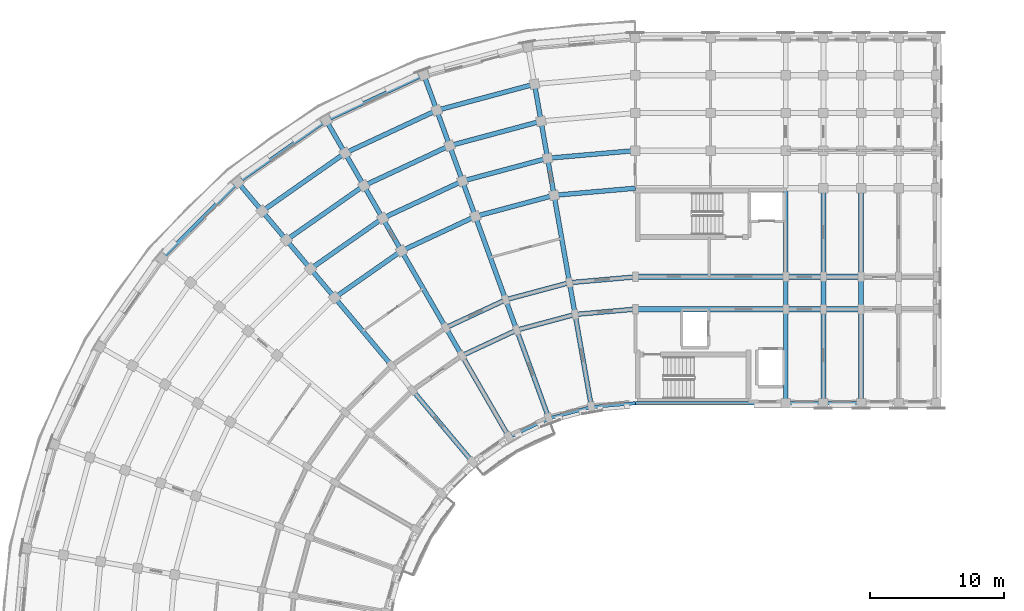
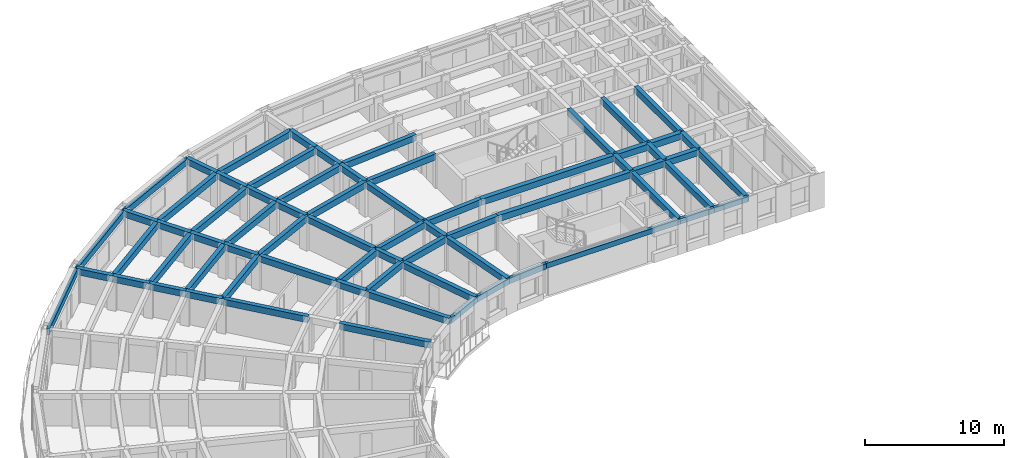
# One storey, part 9 of 57: 70 beams.
"""IFC4 building model written with IfcOpenShell, lengths in metres."""

from ifc_helpers import new_model, si_unit, direction, frame, origin, origin_2d, place, context, subcontext, project, spatial, rectangle, extrude, material, material_profile, profile_set, type_object, element, save


model = new_model("IFC4")

# Units and contexts
model_context = context("Model", 3, precision=1e-05, world=origin(), true_north=direction((0.0, 1.0)))
body_context = subcontext(model_context, "Body", "Model", "MODEL_VIEW")
ifc_project = project(units=[si_unit("LENGTHUNIT", "METRE"), si_unit("AREAUNIT", "SQUARE_METRE"), si_unit("VOLUMEUNIT", "CUBIC_METRE"), si_unit("PLANEANGLEUNIT", "RADIAN"), si_unit("MASSUNIT", "GRAM", prefix="KILO")], contexts=[model_context])

# Site, building, storey
site_placement = place(None, origin())
site = spatial("IfcSite", under=ifc_project, at=site_placement, CompositionType="ELEMENT")
building_placement = place(site_placement, origin())
building = spatial("IfcBuilding", under=site, at=building_placement, Name="Kiranvali Square Residences", CompositionType="ELEMENT")
storey_placement = place(building_placement, frame((0.0, 0.0, 24.449951171875)))
storey = spatial("IfcBuildingStorey", under=building, at=storey_placement, Name="L07", CompositionType="ELEMENT", Elevation=24.449951171875)

# Beams
ifc_material_1 = material(Name="Concrete M40 (40 MPa)", Category="concrete")
ifc_material_profile_1 = material_profile(ifc_material_1, rectangle(XDim=0.35009765625, YDim=0.550048828125, at=origin_2d()), Name="RC 350x550")
ifc_profile_set_1 = profile_set([ifc_material_profile_1], Name="Concrete M40 (40 MPa)")
beam_type_1 = type_object("IfcBeamType", Name="BM-M40-350x550", PredefinedType="BEAM", material=ifc_profile_set_1)
beam_1_placement = place(storey_placement, frame((48.199951171875, 113.60009765625, 2.655029296875), z_axis=(-0.996191949488, -0.087187153726, 0.0), x_axis=(0.087187153726, -0.996191949488, 0.0)))
element("IfcBeam", 1, at=beam_1_placement, inside=storey, type_object=beam_type_1, Name="L07 beam BM-A-L07-C00-R1", PredefinedType="BEAM", context=body_context, shape_type="SweptSolid", body=[
    extrude(rectangle(XDim=0.35009765625, YDim=0.550048828125, at=origin_2d()), origin(), (0.0, 0.0, 1.0), 4.4970703125),
])
beam_2_placement = place(storey_placement, frame((48.199951171875, 116.0, 2.655029296875), z_axis=(-0.996193663584, -0.087167566415, 0.0), x_axis=(0.087167566415, -0.996193663584, 0.0)))
element("IfcBeam", 2, at=beam_2_placement, inside=storey, type_object=beam_type_1, Name="L07 beam BM-A-L07-C00-R2", PredefinedType="BEAM", context=body_context, shape_type="SweptSolid", body=[
    extrude(rectangle(XDim=0.35009765625, YDim=0.550048828125, at=origin_2d()), origin(), (0.0, 0.0, 1.0), 4.91552734375),
])
beam_3_placement = place(storey_placement, frame((48.199951171875, 122.60009765625, 2.655029296875), z_axis=(-0.996193018494, -0.087174938512, 0.0), x_axis=(0.087174938512, -0.996193018494, 0.0)))
element("IfcBeam", 3, at=beam_3_placement, inside=storey, type_object=beam_type_1, Name="L07 beam BM-A-L07-C00-R3", PredefinedType="BEAM", context=body_context, shape_type="SweptSolid", body=[
    extrude(rectangle(XDim=0.35009765625, YDim=0.550048828125, at=origin_2d()), origin(), (0.0, 0.0, 1.0), 6.066162109375),
])
beam_4_placement = place(storey_placement, frame((48.199951171875, 125.39990234375, 2.655029296875), z_axis=(-0.996196991902, -0.0871295204, 0.0), x_axis=(0.0871295204, -0.996196991902, 0.0)))
element("IfcBeam", 4, at=beam_4_placement, inside=storey, type_object=beam_type_1, Name="L07 beam BM-A-L07-C00-R4", PredefinedType="BEAM", context=body_context, shape_type="SweptSolid", body=[
    extrude(rectangle(XDim=0.35009765625, YDim=0.550048828125, at=origin_2d()), origin(), (0.0, 0.0, 1.0), 6.553955078125),
])
beam_5_placement = place(storey_placement, frame((43.719970703125, 113.2080078125, 2.655029296875), z_axis=(-0.965934240054, -0.258787642463, 0.0), x_axis=(0.258787642463, -0.965934240054, 0.0)))
element("IfcBeam", 5, at=beam_5_placement, inside=storey, type_object=beam_type_1, Name="L07 beam BM-A-L07-C01-R1", PredefinedType="BEAM", context=body_context, shape_type="SweptSolid", body=[
    extrude(rectangle(XDim=0.35009765625, YDim=0.550048828125, at=origin_2d()), origin(), (0.0, 0.0, 1.0), 4.497314453125),
])
beam_6_placement = place(storey_placement, frame((43.30322265625, 115.571533203125, 2.655029296875), z_axis=(-0.965930095386, -0.258803112091, 0.0), x_axis=(0.258803112091, -0.965930095386, 0.0)))
element("IfcBeam", 6, at=beam_6_placement, inside=storey, type_object=beam_type_1, Name="L07 beam BM-A-L07-C01-R2", PredefinedType="BEAM", context=body_context, shape_type="SweptSolid", body=[
    extrude(rectangle(XDim=0.35009765625, YDim=0.550048828125, at=origin_2d()), origin(), (0.0, 0.0, 1.0), 4.915771484375),
])
beam_7_placement = place(storey_placement, frame((42.156982421875, 122.0712890625, 2.655029296875), z_axis=(-0.965923618901, -0.258827283048, 0.0), x_axis=(0.258827283048, -0.965923618901, 0.0)))
element("IfcBeam", 7, at=beam_7_placement, inside=storey, type_object=beam_type_1, Name="L07 beam BM-A-L07-C01-R3", PredefinedType="BEAM", context=body_context, shape_type="SweptSolid", body=[
    extrude(rectangle(XDim=0.35009765625, YDim=0.550048828125, at=origin_2d()), origin(), (0.0, 0.0, 1.0), 6.066162109375),
])
beam_8_placement = place(storey_placement, frame((41.6708984375, 124.828857421875, 2.655029296875), z_axis=(-0.965918287583, -0.258847178297, 0.0), x_axis=(0.258847178297, -0.965918287583, 0.0)))
element("IfcBeam", 8, at=beam_8_placement, inside=storey, type_object=beam_type_1, Name="L07 beam BM-A-L07-C01-R4", PredefinedType="BEAM", context=body_context, shape_type="SweptSolid", body=[
    extrude(rectangle(XDim=0.35009765625, YDim=0.550048828125, at=origin_2d()), origin(), (0.0, 0.0, 1.0), 6.55419921875),
])
beam_9_placement = place(storey_placement, frame((41.1845703125, 127.586181640625, 2.655029296875), z_axis=(-0.965931029817, -0.258799624492, 0.0), x_axis=(0.258799624492, -0.965931029817, 0.0)))
element("IfcBeam", 9, at=beam_9_placement, inside=storey, type_object=beam_type_1, Name="L07 beam BM-A-L07-C01-R5", PredefinedType="BEAM", context=body_context, shape_type="SweptSolid", body=[
    extrude(rectangle(XDim=0.35009765625, YDim=0.550048828125, at=origin_2d()), origin(), (0.0, 0.0, 1.0), 7.042236328125),
])
beam_10_placement = place(storey_placement, frame((40.698486328125, 130.34375, 2.655029296875), z_axis=(-0.965925909693, -0.258818733833, 0.0), x_axis=(0.258818733833, -0.965925909693, 0.0)))
element("IfcBeam", 10, at=beam_10_placement, inside=storey, type_object=beam_type_1, Name="L07 beam BM-A-L07-C01-R6", PredefinedType="BEAM", context=body_context, shape_type="SweptSolid", body=[
    extrude(rectangle(XDim=0.35009765625, YDim=0.550048828125, at=origin_2d()), origin(), (0.0, 0.0, 1.0), 7.5302734375),
])
beam_11_placement = place(storey_placement, frame((39.3759765625, 112.044189453125, 2.655029296875), z_axis=(-0.906307919131, -0.422617978463, 0.0), x_axis=(0.422617978463, -0.906307919131, 0.0)))
element("IfcBeam", 11, at=beam_11_placement, inside=storey, type_object=beam_type_1, Name="L07 beam BM-A-L07-C02-R1", PredefinedType="BEAM", context=body_context, shape_type="SweptSolid", body=[
    extrude(rectangle(XDim=0.35009765625, YDim=0.550048828125, at=origin_2d()), origin(), (0.0, 0.0, 1.0), 4.497314453125),
])
beam_12_placement = place(storey_placement, frame((38.554931640625, 114.29931640625, 2.655029296875), z_axis=(-0.906302381024, -0.422629854778, 0.0), x_axis=(0.422629854778, -0.906302381024, 0.0)))
element("IfcBeam", 12, at=beam_12_placement, inside=storey, type_object=beam_type_1, Name="L07 beam BM-A-L07-C02-R2", PredefinedType="BEAM", context=body_context, shape_type="SweptSolid", body=[
    extrude(rectangle(XDim=0.35009765625, YDim=0.550048828125, at=origin_2d()), origin(), (0.0, 0.0, 1.0), 4.915283203125),
])
beam_13_placement = place(storey_placement, frame((36.297607421875, 120.501220703125, 2.655029296875), z_axis=(-0.906312656069, -0.42260781991, 0.0), x_axis=(0.42260781991, -0.906312656069, 0.0)))
element("IfcBeam", 13, at=beam_13_placement, inside=storey, type_object=beam_type_1, Name="L07 beam BM-A-L07-C02-R3", PredefinedType="BEAM", context=body_context, shape_type="SweptSolid", body=[
    extrude(rectangle(XDim=0.35009765625, YDim=0.550048828125, at=origin_2d()), origin(), (0.0, 0.0, 1.0), 6.06591796875),
])
beam_14_placement = place(storey_placement, frame((35.340087890625, 123.13232421875, 2.655029296875), z_axis=(-0.906318225223, -0.422595876255, 0.0), x_axis=(0.422595876255, -0.906318225223, 0.0)))
element("IfcBeam", 14, at=beam_14_placement, inside=storey, type_object=beam_type_1, Name="L07 beam BM-A-L07-C02-R4", PredefinedType="BEAM", context=body_context, shape_type="SweptSolid", body=[
    extrude(rectangle(XDim=0.35009765625, YDim=0.550048828125, at=origin_2d()), origin(), (0.0, 0.0, 1.0), 6.55419921875),
])
beam_15_placement = place(storey_placement, frame((34.38232421875, 125.763671875, 2.655029296875), z_axis=(-0.906297360311, -0.422640621205, 0.0), x_axis=(0.422640621205, -0.906297360311, 0.0)))
element("IfcBeam", 15, at=beam_15_placement, inside=storey, type_object=beam_type_1, Name="L07 beam BM-A-L07-C02-R5", PredefinedType="BEAM", context=body_context, shape_type="SweptSolid", body=[
    extrude(rectangle(XDim=0.35009765625, YDim=0.550048828125, at=origin_2d()), origin(), (0.0, 0.0, 1.0), 7.042236328125),
])
beam_16_placement = place(storey_placement, frame((33.4248046875, 128.394775390625, 2.655029296875), z_axis=(-0.90630982703, -0.422613886933, 0.0), x_axis=(0.422613886933, -0.90630982703, 0.0)))
element("IfcBeam", 16, at=beam_16_placement, inside=storey, type_object=beam_type_1, Name="L07 beam BM-A-L07-C02-R6", PredefinedType="BEAM", context=body_context, shape_type="SweptSolid", body=[
    extrude(rectangle(XDim=0.35009765625, YDim=0.550048828125, at=origin_2d()), origin(), (0.0, 0.0, 1.0), 7.5302734375),
])
beam_17_placement = place(storey_placement, frame((30.800048828125, 117.937744140625, 2.655029296875), z_axis=(-0.81913926159, -0.573594691504, 0.0), x_axis=(0.573594691504, -0.81913926159, 0.0)))
element("IfcBeam", 17, at=beam_17_placement, inside=storey, type_object=beam_type_1, Name="L07 beam BM-A-L07-C03-R3", PredefinedType="BEAM", context=body_context, shape_type="SweptSolid", body=[
    extrude(rectangle(XDim=0.35009765625, YDim=0.550048828125, at=origin_2d()), origin(), (0.0, 0.0, 1.0), 6.066162109375),
])
beam_18_placement = place(storey_placement, frame((29.39990234375, 120.362548828125, 2.655029296875), z_axis=(-0.819144409176, -0.573587340268, 0.0), x_axis=(0.573587340268, -0.819144409176, 0.0)))
element("IfcBeam", 18, at=beam_18_placement, inside=storey, type_object=beam_type_1, Name="L07 beam BM-A-L07-C03-R4", PredefinedType="BEAM", context=body_context, shape_type="SweptSolid", body=[
    extrude(rectangle(XDim=0.35009765625, YDim=0.550048828125, at=origin_2d()), origin(), (0.0, 0.0, 1.0), 6.553955078125),
])
beam_19_placement = place(storey_placement, frame((28.0, 122.787353515625, 2.655029296875), z_axis=(-0.819160249246, -0.57356471828, 0.0), x_axis=(0.57356471828, -0.819160249246, 0.0)))
element("IfcBeam", 19, at=beam_19_placement, inside=storey, type_object=beam_type_1, Name="L07 beam BM-A-L07-C03-R5", PredefinedType="BEAM", context=body_context, shape_type="SweptSolid", body=[
    extrude(rectangle(XDim=0.35009765625, YDim=0.550048828125, at=origin_2d()), origin(), (0.0, 0.0, 1.0), 7.0419921875),
])
beam_20_placement = place(storey_placement, frame((26.60009765625, 125.21240234375, 2.655029296875), z_axis=(-0.819143569597, -0.573588539275, 0.0), x_axis=(0.573588539275, -0.819143569597, 0.0)))
element("IfcBeam", 20, at=beam_20_placement, inside=storey, type_object=beam_type_1, Name="L07 beam BM-A-L07-C03-R6", PredefinedType="BEAM", context=body_context, shape_type="SweptSolid", body=[
    extrude(rectangle(XDim=0.35009765625, YDim=0.550048828125, at=origin_2d()), origin(), (0.0, 0.0, 1.0), 7.5302734375),
])
beam_21_placement = place(storey_placement, frame((44.935302734375, 106.314453125, 2.655029296875), z_axis=(-0.173622177865, 0.984812337125, 0.0), x_axis=(-0.984812337125, -0.173622177865, 0.0)))
element("IfcBeam", 21, at=beam_21_placement, inside=storey, type_object=beam_type_1, Name="L07 beam BM-A-L07-RAD01-01", PredefinedType="BEAM", context=body_context, shape_type="SweptSolid", body=[
    extrude(rectangle(XDim=0.35009765625, YDim=0.550048828125, at=origin_2d()), origin(), (0.0, 0.0, 1.0), 6.999755859375),
])
beam_22_placement = place(storey_placement, frame((43.719970703125, 113.2080078125, 2.655029296875), z_axis=(-0.173646056486, 0.984808127031, 0.0), x_axis=(-0.984808127031, -0.173646056486, 0.0)))
element("IfcBeam", 22, at=beam_22_placement, inside=storey, type_object=beam_type_1, Name="L07 beam BM-A-L07-RAD01-12", PredefinedType="BEAM", context=body_context, shape_type="SweptSolid", body=[
    extrude(rectangle(XDim=0.35009765625, YDim=0.550048828125, at=origin_2d()), origin(), (0.0, 0.0, 1.0), 2.39990234375),
])
beam_23_placement = place(storey_placement, frame((43.30322265625, 115.571533203125, 2.655029296875), z_axis=(-0.173671381499, 0.984803661269, 0.0), x_axis=(-0.984803661269, -0.173671381499, 0.0)))
element("IfcBeam", 23, at=beam_23_placement, inside=storey, type_object=beam_type_1, Name="L07 beam BM-A-L07-RAD01-23", PredefinedType="BEAM", context=body_context, shape_type="SweptSolid", body=[
    extrude(rectangle(XDim=0.35009765625, YDim=0.550048828125, at=origin_2d()), origin(), (0.0, 0.0, 1.0), 6.60009765625),
])
beam_24_placement = place(storey_placement, frame((42.156982421875, 122.0712890625, 2.655029296875), z_axis=(-0.173596320392, 0.984816895441, 0.0), x_axis=(-0.984816895441, -0.173596320392, 0.0)))
element("IfcBeam", 24, at=beam_24_placement, inside=storey, type_object=beam_type_1, Name="L07 beam BM-A-L07-RAD01-34", PredefinedType="BEAM", context=body_context, shape_type="SweptSolid", body=[
    extrude(rectangle(XDim=0.35009765625, YDim=0.550048828125, at=origin_2d()), origin(), (0.0, 0.0, 1.0), 2.800048828125),
])
beam_25_placement = place(storey_placement, frame((41.6708984375, 124.828857421875, 2.655029296875), z_axis=(-0.173695795656, 0.984799355489, 0.0), x_axis=(-0.984799355489, -0.173695795656, 0.0)))
element("IfcBeam", 25, at=beam_25_placement, inside=storey, type_object=beam_type_1, Name="L07 beam BM-A-L07-RAD01-45", PredefinedType="BEAM", context=body_context, shape_type="SweptSolid", body=[
    extrude(rectangle(XDim=0.35009765625, YDim=0.550048828125, at=origin_2d()), origin(), (0.0, 0.0, 1.0), 2.7998046875),
])
beam_26_placement = place(storey_placement, frame((41.1845703125, 127.586181640625, 2.655029296875), z_axis=(-0.173596320392, 0.984816895441, 0.0), x_axis=(-0.984816895441, -0.173596320392, 0.0)))
element("IfcBeam", 26, at=beam_26_placement, inside=storey, type_object=beam_type_1, Name="L07 beam BM-A-L07-RAD01-56", PredefinedType="BEAM", context=body_context, shape_type="SweptSolid", body=[
    extrude(rectangle(XDim=0.35009765625, YDim=0.550048828125, at=origin_2d()), origin(), (0.0, 0.0, 1.0), 2.800048828125),
])
beam_27_placement = place(storey_placement, frame((41.77001953125, 105.46630859375, 2.655029296875), z_axis=(-0.342006283793, 0.939697665127, 0.0), x_axis=(-0.939697665127, -0.342006283793, 0.0)))
element("IfcBeam", 27, at=beam_27_placement, inside=storey, type_object=beam_type_1, Name="L07 beam BM-A-L07-RAD02-01", PredefinedType="BEAM", context=body_context, shape_type="SweptSolid", body=[
    extrude(rectangle(XDim=0.35009765625, YDim=0.550048828125, at=origin_2d()), origin(), (0.0, 0.0, 1.0), 7.0),
])
beam_28_placement = place(storey_placement, frame((39.3759765625, 112.044189453125, 2.655029296875), z_axis=(-0.342110593602, 0.939659694648, 0.0), x_axis=(-0.939659694648, -0.342110593602, 0.0)))
element("IfcBeam", 28, at=beam_28_placement, inside=storey, type_object=beam_type_1, Name="L07 beam BM-A-L07-RAD02-12", PredefinedType="BEAM", context=body_context, shape_type="SweptSolid", body=[
    extrude(rectangle(XDim=0.35009765625, YDim=0.550048828125, at=origin_2d()), origin(), (0.0, 0.0, 1.0), 2.39990234375),
])
beam_29_placement = place(storey_placement, frame((38.554931640625, 114.29931640625, 2.655029296875), z_axis=(-0.342022238372, 0.939691858249, 0.0), x_axis=(-0.939691858249, -0.342022238372, 0.0)))
element("IfcBeam", 29, at=beam_29_placement, inside=storey, type_object=beam_type_1, Name="L07 beam BM-A-L07-RAD02-23", PredefinedType="BEAM", context=body_context, shape_type="SweptSolid", body=[
    extrude(rectangle(XDim=0.35009765625, YDim=0.550048828125, at=origin_2d()), origin(), (0.0, 0.0, 1.0), 6.599853515625),
])
beam_30_placement = place(storey_placement, frame((36.297607421875, 120.501220703125, 2.655029296875), z_axis=(-0.341981089711, 0.93970683422, 0.0), x_axis=(-0.93970683422, -0.341981089711, 0.0)))
element("IfcBeam", 30, at=beam_30_placement, inside=storey, type_object=beam_type_1, Name="L07 beam BM-A-L07-RAD02-34", PredefinedType="BEAM", context=body_context, shape_type="SweptSolid", body=[
    extrude(rectangle(XDim=0.35009765625, YDim=0.550048828125, at=origin_2d()), origin(), (0.0, 0.0, 1.0), 2.7998046875),
])
beam_31_placement = place(storey_placement, frame((35.340087890625, 123.13232421875, 2.655029296875), z_axis=(-0.342030060398, 0.939689011208, 0.0), x_axis=(-0.939689011208, -0.342030060398, 0.0)))
element("IfcBeam", 31, at=beam_31_placement, inside=storey, type_object=beam_type_1, Name="L07 beam BM-A-L07-RAD02-45", PredefinedType="BEAM", context=body_context, shape_type="SweptSolid", body=[
    extrude(rectangle(XDim=0.35009765625, YDim=0.550048828125, at=origin_2d()), origin(), (0.0, 0.0, 1.0), 2.80029296875),
])
beam_32_placement = place(storey_placement, frame((34.38232421875, 125.763671875, 2.655029296875), z_axis=(-0.341981089711, 0.93970683422, 0.0), x_axis=(-0.93970683422, -0.341981089711, 0.0)))
element("IfcBeam", 32, at=beam_32_placement, inside=storey, type_object=beam_type_1, Name="L07 beam BM-A-L07-RAD02-56", PredefinedType="BEAM", context=body_context, shape_type="SweptSolid", body=[
    extrude(rectangle(XDim=0.35009765625, YDim=0.550048828125, at=origin_2d()), origin(), (0.0, 0.0, 1.0), 2.7998046875),
])
beam_33_placement = place(storey_placement, frame((33.4248046875, 128.394775390625, 2.655029296875), z_axis=(-0.342058084236, 0.939678810556, 0.0), x_axis=(-0.939678810556, -0.342058084236, 0.0)))
element("IfcBeam", 33, at=beam_33_placement, inside=storey, type_object=beam_type_1, Name="L07 beam BM-A-L07-RAD02-67", PredefinedType="BEAM", context=body_context, shape_type="SweptSolid", body=[
    extrude(rectangle(XDim=0.35009765625, YDim=0.550048828125, at=origin_2d()), origin(), (0.0, 0.0, 1.0), 2.800048828125),
])
beam_34_placement = place(storey_placement, frame((38.800048828125, 104.081298828125, 2.655029296875), z_axis=(-0.499995173006, 0.866028190633, 0.0), x_axis=(-0.866028190633, -0.499995173006, 0.0)))
element("IfcBeam", 34, at=beam_34_placement, inside=storey, type_object=beam_type_1, Name="L07 beam BM-A-L07-RAD03-01", PredefinedType="BEAM", context=body_context, shape_type="SweptSolid", body=[
    extrude(rectangle(XDim=0.35009765625, YDim=0.550048828125, at=origin_2d()), origin(), (0.0, 0.0, 1.0), 7.0),
])
beam_35_placement = place(storey_placement, frame((35.300048828125, 110.1435546875, 2.655029296875), z_axis=(-0.500001309137, 0.866024647952, 0.0), x_axis=(-0.866024647952, -0.500001309137, 0.0)))
element("IfcBeam", 35, at=beam_35_placement, inside=storey, type_object=beam_type_1, Name="L07 beam BM-A-L07-RAD03-12", PredefinedType="BEAM", context=body_context, shape_type="SweptSolid", body=[
    extrude(rectangle(XDim=0.35009765625, YDim=0.550048828125, at=origin_2d()), origin(), (0.0, 0.0, 1.0), 2.39990234375),
])
beam_36_placement = place(storey_placement, frame((34.10009765625, 112.221923828125, 2.655029296875), z_axis=(-0.500002094529, 0.866024194504, 0.0), x_axis=(-0.866024194504, -0.500002094529, 0.0)))
element("IfcBeam", 36, at=beam_36_placement, inside=storey, type_object=beam_type_1, Name="L07 beam BM-A-L07-RAD03-23", PredefinedType="BEAM", context=body_context, shape_type="SweptSolid", body=[
    extrude(rectangle(XDim=0.35009765625, YDim=0.550048828125, at=origin_2d()), origin(), (0.0, 0.0, 1.0), 6.60009765625),
])
beam_37_placement = place(storey_placement, frame((30.800048828125, 117.937744140625, 2.655029296875), z_axis=(-0.500049511043, 0.865996816683, 0.0), x_axis=(-0.865996816683, -0.500049511043, 0.0)))
element("IfcBeam", 37, at=beam_37_placement, inside=storey, type_object=beam_type_1, Name="L07 beam BM-A-L07-RAD03-34", PredefinedType="BEAM", context=body_context, shape_type="SweptSolid", body=[
    extrude(rectangle(XDim=0.35009765625, YDim=0.550048828125, at=origin_2d()), origin(), (0.0, 0.0, 1.0), 2.800048828125),
])
beam_38_placement = place(storey_placement, frame((29.39990234375, 120.362548828125, 2.655029296875), z_axis=(-0.49998411664, 0.866034573852, 0.0), x_axis=(-0.866034573852, -0.49998411664, 0.0)))
element("IfcBeam", 38, at=beam_38_placement, inside=storey, type_object=beam_type_1, Name="L07 beam BM-A-L07-RAD03-45", PredefinedType="BEAM", context=body_context, shape_type="SweptSolid", body=[
    extrude(rectangle(XDim=0.35009765625, YDim=0.550048828125, at=origin_2d()), origin(), (0.0, 0.0, 1.0), 2.7998046875),
])
for number, where, z_axis, x_axis, name in (
    (39, (28.0, 122.787353515625, 2.655029296875), (-0.49994636267, 0.866056369097, 0.0), (-0.866056369097, -0.49994636267, 0.0), "L07 beam BM-A-L07-RAD03-56"),
    (40, (26.60009765625, 125.21240234375, 2.655029296875), (-0.500049511043, 0.865996816683, 0.0), (-0.865996816683, -0.500049511043, 0.0), "L07 beam BM-A-L07-RAD03-67"),
):
    element("IfcBeam", number, at=place(storey_placement, frame(where, z_axis=z_axis, x_axis=x_axis)), inside=storey, type_object=beam_type_1, Name=name, PredefinedType="BEAM", context=body_context, shape_type="SweptSolid", body=[
        extrude(rectangle(XDim=0.35009765625, YDim=0.550048828125, at=origin_2d()), origin(), (0.0, 0.0, 1.0), 2.800048828125),
    ])
beam_39_placement = place(storey_placement, frame((36.115478515625, 102.20166015625, 2.655029296875), z_axis=(-0.642787931032, 0.766044173478, 0.0), x_axis=(-0.766044173478, -0.642787931032, 0.0)))
element("IfcBeam", 41, at=beam_39_placement, inside=storey, type_object=beam_type_1, Name="L07 beam BM-A-L07-RAD04-01", PredefinedType="BEAM", context=body_context, shape_type="SweptSolid", body=[
    extrude(rectangle(XDim=0.35009765625, YDim=0.550048828125, at=origin_2d()), origin(), (0.0, 0.0, 1.0), 7.0),
])
beam_40_placement = place(storey_placement, frame((30.073486328125, 109.40234375, 2.655029296875), z_axis=(-0.642789470807, 0.766042881449, 0.0), x_axis=(-0.766042881449, -0.642789470807, 0.0)))
element("IfcBeam", 42, at=beam_40_placement, inside=storey, type_object=beam_type_1, Name="L07 beam BM-A-L07-RAD04-23", PredefinedType="BEAM", context=body_context, shape_type="SweptSolid", body=[
    extrude(rectangle(XDim=0.35009765625, YDim=0.550048828125, at=origin_2d()), origin(), (0.0, 0.0, 1.0), 6.60009765625),
])
for number, where, z_axis, x_axis, name in (
    (43, (25.8310546875, 114.458251953125, 2.655029296875), (-0.642770757628, 0.766058583359, 0.0), (-0.766058583359, -0.642770757628, 0.0), "L07 beam BM-A-L07-RAD04-34"),
    (44, (24.03125, 116.603271484375, 2.655029296875), (-0.642770757628, 0.766058583359, 0.0), (-0.766058583359, -0.642770757628, 0.0), "L07 beam BM-A-L07-RAD04-45"),
):
    element("IfcBeam", number, at=place(storey_placement, frame(where, z_axis=z_axis, x_axis=x_axis)), inside=storey, type_object=beam_type_1, Name=name, PredefinedType="BEAM", context=body_context, shape_type="SweptSolid", body=[
        extrude(rectangle(XDim=0.35009765625, YDim=0.550048828125, at=origin_2d()), origin(), (0.0, 0.0, 1.0), 2.800048828125),
    ])
beam_41_placement = place(storey_placement, frame((22.2314453125, 118.748291015625, 2.655029296875), z_axis=(-0.642813692253, 0.76602255649, 0.0), x_axis=(-0.76602255649, -0.642813692253, 0.0)))
element("IfcBeam", 45, at=beam_41_placement, inside=storey, type_object=beam_type_1, Name="L07 beam BM-A-L07-RAD04-56", PredefinedType="BEAM", context=body_context, shape_type="SweptSolid", body=[
    extrude(rectangle(XDim=0.35009765625, YDim=0.550048828125, at=origin_2d()), origin(), (0.0, 0.0, 1.0), 2.7998046875),
])
beam_42_placement = place(storey_placement, frame((20.431640625, 120.89306640625, 2.655029296875), z_axis=(-0.642770757628, 0.766058583359, 0.0), x_axis=(-0.766058583359, -0.642770757628, 0.0)))
element("IfcBeam", 46, at=beam_42_placement, inside=storey, type_object=beam_type_1, Name="L07 beam BM-A-L07-RAD04-67", PredefinedType="BEAM", context=body_context, shape_type="SweptSolid", body=[
    extrude(rectangle(XDim=0.35009765625, YDim=0.550048828125, at=origin_2d()), origin(), (0.0, 0.0, 1.0), 2.800048828125),
])
beam_43_placement = place(storey_placement, frame((59.39990234375, 106.60009765625, 2.655029296875), z_axis=(0.0, 1.0, 0.0), x_axis=(-1.0, 0.0, 0.0)))
element("IfcBeam", 47, at=beam_43_placement, inside=storey, type_object=beam_type_1, Name="L07 beam BM-A-L07-A1T1-01", PredefinedType="BEAM", context=body_context, shape_type="SweptSolid", body=[
    extrude(rectangle(XDim=0.35009765625, YDim=0.550048828125, at=origin_2d()), origin(), (0.0, 0.0, 1.0), 7.0),
])
beam_44_placement = place(storey_placement, frame((59.39990234375, 113.60009765625, 2.655029296875), z_axis=(0.0, 1.0, 0.0), x_axis=(-1.0, 0.0, 0.0)))
element("IfcBeam", 48, at=beam_44_placement, inside=storey, type_object=beam_type_1, Name="L07 beam BM-A-L07-A1T1-12", PredefinedType="BEAM", context=body_context, shape_type="SweptSolid", body=[
    extrude(rectangle(XDim=0.35009765625, YDim=0.550048828125, at=origin_2d()), origin(), (0.0, 0.0, 1.0), 2.39990234375),
])
beam_45_placement = place(storey_placement, frame((59.39990234375, 116.0, 2.655029296875), z_axis=(0.0, 1.0, 0.0), x_axis=(-1.0, 0.0, 0.0)))
element("IfcBeam", 49, at=beam_45_placement, inside=storey, type_object=beam_type_1, Name="L07 beam BM-A-L07-A1T1-23", PredefinedType="BEAM", context=body_context, shape_type="SweptSolid", body=[
    extrude(rectangle(XDim=0.35009765625, YDim=0.550048828125, at=origin_2d()), origin(), (0.0, 0.0, 1.0), 6.60009765625),
])
beam_46_placement = place(storey_placement, frame((62.199951171875, 106.60009765625, 2.655029296875), z_axis=(0.0, 1.0, 0.0), x_axis=(-1.0, 0.0, 0.0)))
element("IfcBeam", 50, at=beam_46_placement, inside=storey, type_object=beam_type_1, Name="L07 beam BM-A-L07-A1T2-01", PredefinedType="BEAM", context=body_context, shape_type="SweptSolid", body=[
    extrude(rectangle(XDim=0.35009765625, YDim=0.550048828125, at=origin_2d()), origin(), (0.0, 0.0, 1.0), 7.0),
])
beam_47_placement = place(storey_placement, frame((62.199951171875, 113.60009765625, 2.655029296875), z_axis=(0.0, 1.0, 0.0), x_axis=(-1.0, 0.0, 0.0)))
element("IfcBeam", 51, at=beam_47_placement, inside=storey, type_object=beam_type_1, Name="L07 beam BM-A-L07-A1T2-12", PredefinedType="BEAM", context=body_context, shape_type="SweptSolid", body=[
    extrude(rectangle(XDim=0.35009765625, YDim=0.550048828125, at=origin_2d()), origin(), (0.0, 0.0, 1.0), 2.39990234375),
])
beam_48_placement = place(storey_placement, frame((62.199951171875, 116.0, 2.655029296875), z_axis=(0.0, 1.0, 0.0), x_axis=(-1.0, 0.0, 0.0)))
element("IfcBeam", 52, at=beam_48_placement, inside=storey, type_object=beam_type_1, Name="L07 beam BM-A-L07-A1T2-23", PredefinedType="BEAM", context=body_context, shape_type="SweptSolid", body=[
    extrude(rectangle(XDim=0.35009765625, YDim=0.550048828125, at=origin_2d()), origin(), (0.0, 0.0, 1.0), 6.60009765625),
])
beam_49_placement = place(storey_placement, frame((65.0, 106.60009765625, 2.655029296875), z_axis=(0.0, 1.0, 0.0), x_axis=(-1.0, 0.0, 0.0)))
element("IfcBeam", 53, at=beam_49_placement, inside=storey, type_object=beam_type_1, Name="L07 beam BM-A-L07-A1T3-01", PredefinedType="BEAM", context=body_context, shape_type="SweptSolid", body=[
    extrude(rectangle(XDim=0.35009765625, YDim=0.550048828125, at=origin_2d()), origin(), (0.0, 0.0, 1.0), 7.0),
])
beam_50_placement = place(storey_placement, frame((65.0, 113.60009765625, 2.655029296875), z_axis=(0.0, 1.0, 0.0), x_axis=(-1.0, 0.0, 0.0)))
element("IfcBeam", 54, at=beam_50_placement, inside=storey, type_object=beam_type_1, Name="L07 beam BM-A-L07-A1T3-12", PredefinedType="BEAM", context=body_context, shape_type="SweptSolid", body=[
    extrude(rectangle(XDim=0.35009765625, YDim=0.550048828125, at=origin_2d()), origin(), (0.0, 0.0, 1.0), 2.39990234375),
])
beam_51_placement = place(storey_placement, frame((65.0, 116.0, 2.655029296875), z_axis=(0.0, 1.0, 0.0), x_axis=(-1.0, 0.0, 0.0)))
element("IfcBeam", 55, at=beam_51_placement, inside=storey, type_object=beam_type_1, Name="L07 beam BM-A-L07-A1T3-23", PredefinedType="BEAM", context=body_context, shape_type="SweptSolid", body=[
    extrude(rectangle(XDim=0.35009765625, YDim=0.550048828125, at=origin_2d()), origin(), (0.0, 0.0, 1.0), 6.60009765625),
])
ifc_material_2 = material(Name="Concrete M45 (45 MPa)", Category="concrete")
ifc_material_profile_2 = material_profile(ifc_material_2, rectangle(XDim=0.39990234375, YDim=0.550048828125, at=origin_2d()), Name="RC 400x550")
ifc_profile_set_2 = profile_set([ifc_material_profile_2], Name="Concrete M45 (45 MPa)")
beam_type_2 = type_object("IfcBeamType", Name="BM-M45-400x550", PredefinedType="BEAM", material=ifc_profile_set_2)
beam_52_placement = place(storey_placement, frame((48.199951171875, 113.60009765625, 2.655029296875), z_axis=(1.0, 0.0, 0.0), x_axis=(0.0, 1.0, 0.0)))
element("IfcBeam", 56, at=beam_52_placement, inside=storey, type_object=beam_type_2, Name="L07 beam BM-A-L07-A1U0-R1", PredefinedType="BEAM", context=body_context, shape_type="SweptSolid", body=[
    extrude(rectangle(XDim=0.39990234375, YDim=0.550048828125, at=origin_2d()), origin(), (0.0, 0.0, 1.0), 11.199951171875),
])
for number, where, z_axis, x_axis, name in (
    (57, (59.39990234375, 113.60009765625, 2.655029296875), (1.0, 0.0, 0.0), (0.0, 1.0, 0.0), "L07 beam BM-A-L07-A1U1-R1"),
    (58, (62.199951171875, 113.60009765625, 2.655029296875), (1.0, 0.0, 0.0), (0.0, 1.0, 0.0), "L07 beam BM-A-L07-A1U2-R1"),
):
    element("IfcBeam", number, at=place(storey_placement, frame(where, z_axis=z_axis, x_axis=x_axis)), inside=storey, type_object=beam_type_2, Name=name, PredefinedType="BEAM", context=body_context, shape_type="SweptSolid", body=[
        extrude(rectangle(XDim=0.39990234375, YDim=0.550048828125, at=origin_2d()), origin(), (0.0, 0.0, 1.0), 2.800048828125),
    ])
beam_53_placement = place(storey_placement, frame((48.199951171875, 116.0, 2.655029296875), z_axis=(1.0, 0.0, 0.0), x_axis=(0.0, 1.0, 0.0)))
element("IfcBeam", 59, at=beam_53_placement, inside=storey, type_object=beam_type_2, Name="L07 beam BM-A-L07-A1U0-R2", PredefinedType="BEAM", context=body_context, shape_type="SweptSolid", body=[
    extrude(rectangle(XDim=0.39990234375, YDim=0.550048828125, at=origin_2d()), origin(), (0.0, 0.0, 1.0), 11.199951171875),
])
for number, where, z_axis, x_axis, name in (
    (60, (59.39990234375, 116.0, 2.655029296875), (1.0, 0.0, 0.0), (0.0, 1.0, 0.0), "L07 beam BM-A-L07-A1U1-R2"),
    (61, (62.199951171875, 116.0, 2.655029296875), (1.0, 0.0, 0.0), (0.0, 1.0, 0.0), "L07 beam BM-A-L07-A1U2-R2"),
):
    element("IfcBeam", number, at=place(storey_placement, frame(where, z_axis=z_axis, x_axis=x_axis)), inside=storey, type_object=beam_type_2, Name=name, PredefinedType="BEAM", context=body_context, shape_type="SweptSolid", body=[
        extrude(rectangle(XDim=0.39990234375, YDim=0.550048828125, at=origin_2d()), origin(), (0.0, 0.0, 1.0), 2.800048828125),
    ])
ifc_material_profile_3 = material_profile(ifc_material_1, rectangle(XDim=0.25, YDim=0.449951171875, at=origin_2d()), Name="RC 250x450")
ifc_profile_set_3 = profile_set([ifc_material_profile_3], Name="Concrete M40 (40 MPa)")
beam_type_3 = type_object("IfcBeamType", Name="SPN-M40-250x450", PredefinedType="SPANDREL", material=ifc_profile_set_3)
beam_54_placement = place(storey_placement, frame((48.199951171875, 106.60009765625, 2.705078125), z_axis=(1.0, 0.0, 0.0), x_axis=(0.0, 1.0, 0.0)))
element("IfcBeam", 62, at=beam_54_placement, inside=storey, type_object=beam_type_3, Name="L07 beam BM-A-L07-A1U0-R0", PredefinedType="SPANDREL", context=body_context, shape_type="SweptSolid", body=[
    extrude(rectangle(XDim=0.25, YDim=0.449951171875, at=origin_2d()), origin(), (0.0, 0.0, 1.0), 11.199951171875),
])
for number, where, z_axis, x_axis, name in (
    (63, (59.39990234375, 106.60009765625, 2.705078125), (1.0, 0.0, 0.0), (0.0, 1.0, 0.0), "L07 beam BM-A-L07-A1U1-R0"),
    (64, (62.199951171875, 106.60009765625, 2.705078125), (1.0, 0.0, 0.0), (0.0, 1.0, 0.0), "L07 beam BM-A-L07-A1U2-R0"),
):
    element("IfcBeam", number, at=place(storey_placement, frame(where, z_axis=z_axis, x_axis=x_axis)), inside=storey, type_object=beam_type_3, Name=name, PredefinedType="SPANDREL", context=body_context, shape_type="SweptSolid", body=[
        extrude(rectangle(XDim=0.25, YDim=0.449951171875, at=origin_2d()), origin(), (0.0, 0.0, 1.0), 2.800048828125),
    ])
ifc_material_profile_4 = material_profile(ifc_material_1, rectangle(XDim=0.25, YDim=0.5, at=origin_2d()), Name="RC 250x500")
ifc_profile_set_4 = profile_set([ifc_material_profile_4], Name="Concrete M40 (40 MPa)")
beam_type_4 = type_object("IfcBeamType", Name="SPN-M40-250x500", PredefinedType="SPANDREL", material=ifc_profile_set_4)
beam_55_placement = place(storey_placement, frame((48.199951171875, 106.60009765625, 2.679931640625), z_axis=(-0.996194040944, -0.087163253657, 0.0), x_axis=(0.087163253657, -0.996194040944, 0.0)))
element("IfcBeam", 65, at=beam_55_placement, inside=storey, type_object=beam_type_4, Name="L07 beam BM-A-L07-C00-R0", PredefinedType="SPANDREL", context=body_context, shape_type="SweptSolid", body=[
    extrude(rectangle(XDim=0.25, YDim=0.5, at=origin_2d()), origin(), (0.0, 0.0, 1.0), 3.277099609375),
])
beam_56_placement = place(storey_placement, frame((44.935302734375, 106.314453125, 2.679931640625), z_axis=(-0.965925105099, -0.258821736607, 0.0), x_axis=(0.258821736607, -0.965925105099, 0.0)))
element("IfcBeam", 66, at=beam_56_placement, inside=storey, type_object=beam_type_4, Name="L07 beam BM-A-L07-C01-R0", PredefinedType="SPANDREL", context=body_context, shape_type="SweptSolid", body=[
    extrude(rectangle(XDim=0.25, YDim=0.5, at=origin_2d()), origin(), (0.0, 0.0, 1.0), 3.27685546875),
])
beam_57_placement = place(storey_placement, frame((41.77001953125, 105.46630859375, 2.679931640625), z_axis=(-0.90629730464, -0.422640740585, 0.0), x_axis=(0.422640740585, -0.90629730464, 0.0)))
element("IfcBeam", 67, at=beam_57_placement, inside=storey, type_object=beam_type_4, Name="L07 beam BM-A-L07-C02-R0", PredefinedType="SPANDREL", context=body_context, shape_type="SweptSolid", body=[
    extrude(rectangle(XDim=0.25, YDim=0.5, at=origin_2d()), origin(), (0.0, 0.0, 1.0), 3.277099609375),
])
ifc_material_profile_5 = material_profile(ifc_material_1, rectangle(XDim=0.25, YDim=0.550048828125, at=origin_2d()), Name="RC 250x550")
ifc_profile_set_5 = profile_set([ifc_material_profile_5], Name="Concrete M40 (40 MPa)")
beam_type_5 = type_object("IfcBeamType", Name="SPN-M40-250x550", PredefinedType="SPANDREL", material=ifc_profile_set_5)
for number, where, z_axis, x_axis, name in (
    (68, (32.467041015625, 131.02587890625, 2.655029296875), (-0.906309113636, -0.422615416827, 0.0), (0.422615416827, -0.906309113636, 0.0), "L07 beam BM-A-L07-C02-R7"),
    (69, (25.199951171875, 127.63720703125, 2.655029296875), (-0.819147515001, -0.573582904791, 0.0), (0.573582904791, -0.819147515001, 0.0), "L07 beam BM-A-L07-C03-R7"),
):
    element("IfcBeam", number, at=place(storey_placement, frame(where, z_axis=z_axis, x_axis=x_axis)), inside=storey, type_object=beam_type_5, Name=name, PredefinedType="SPANDREL", context=body_context, shape_type="SweptSolid", body=[
        extrude(rectangle(XDim=0.25, YDim=0.550048828125, at=origin_2d()), origin(), (0.0, 0.0, 1.0), 8.018310546875),
    ])
beam_58_placement = place(storey_placement, frame((18.6318359375, 123.0380859375, 2.655029296875), z_axis=(-0.707106781187, -0.707106781187, 0.0), x_axis=(0.707106781187, -0.707106781187, 0.0)))
element("IfcBeam", 70, at=beam_58_placement, inside=storey, type_object=beam_type_5, Name="L07 beam BM-A-L07-C04-R7", PredefinedType="SPANDREL", context=body_context, shape_type="SweptSolid", body=[
    extrude(rectangle(XDim=0.25, YDim=0.550048828125, at=origin_2d()), origin(), (0.0, 0.0, 1.0), 8.0185546875),
])

save(model, "model.ifc")
